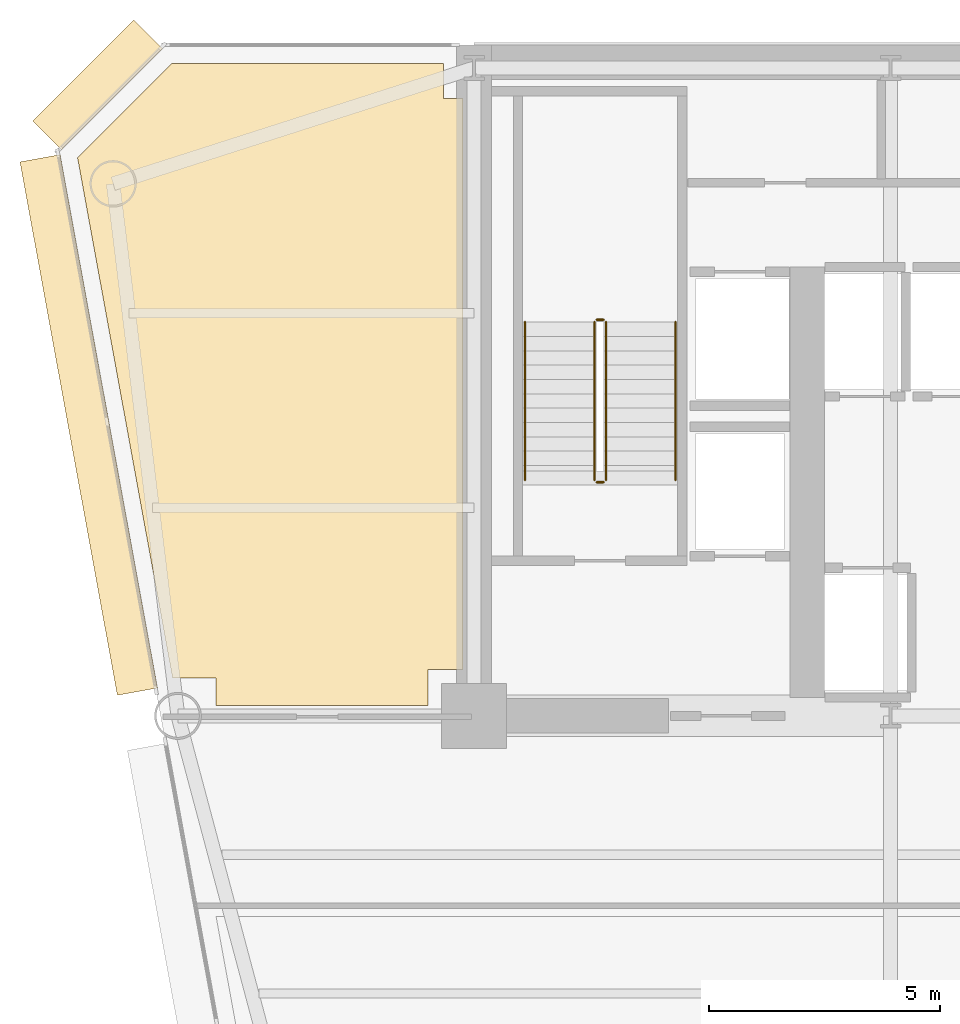
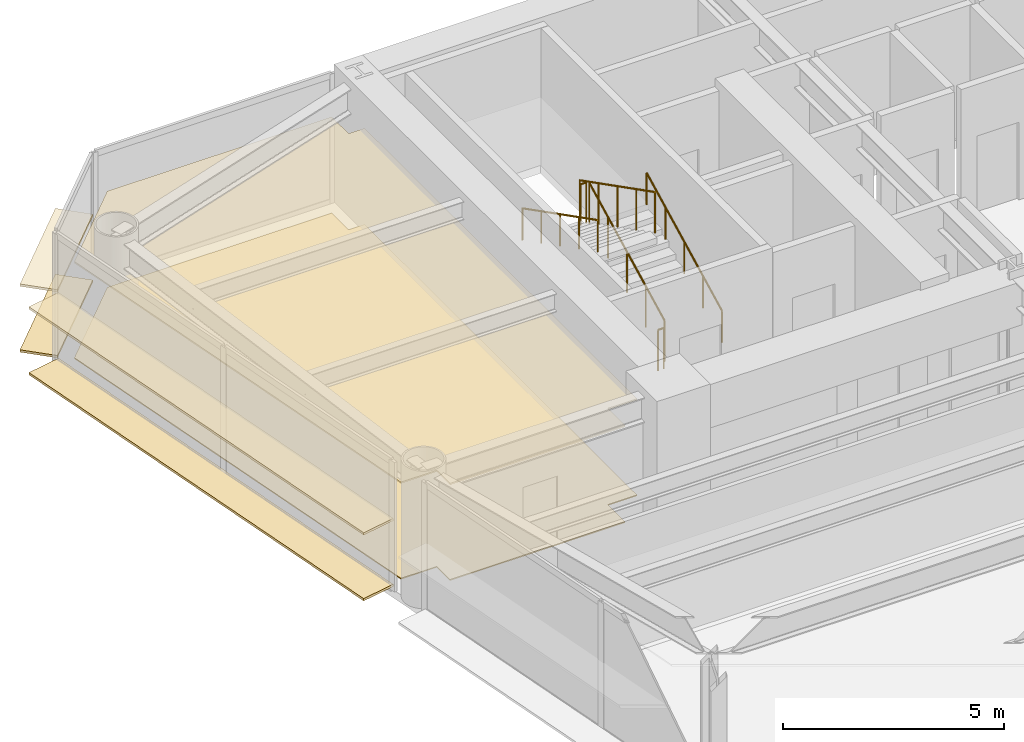
# One storey, part 13 of 15: 6 coverings, 6 railings.
"""IFC4 building model written with IfcOpenShell, lengths in metres."""

import ifcopenshell
import ifcopenshell.guid

model = None  # the IFC model being written
_history = None  # IfcOwnerHistory: only IFC2X3 demands one
_inside = {}  # id of a spatial element -> (the spatial element, [elements in it])
_under = {}  # id of a project, library or spatial element -> (it, [spatial elements below it])
_declared = {}  # id of a project -> (the project, [libraries it declares])
_typed = {}  # id of a type object -> (the type object, [elements of that type])
_made_of = {}  # id of a material, layer set ... -> (it, [elements and type objects made of it])


def new_model(schema):
    """Start an empty IFC model of exactly this schema.

    Asked for "IFC4X3", IfcOpenShell would pick the latest addendum, in which some entities
    have other attributes; the version numbers below select the first issue.
    IFC2X3 requires an IfcOwnerHistory on every rooted entity: one is made here for all.
    """
    global model, _history
    if schema == "IFC4X3":
        model = ifcopenshell.file(schema_version=(4, 3, 0, 0))
    else:
        model = ifcopenshell.file(schema=schema)
    _inside.clear()
    _under.clear()
    _declared.clear()
    _typed.clear()
    _made_of.clear()
    _history = None
    if model.schema == "IFC2X3":
        org = make("IfcOrganization", Name="unknown")
        user = make(
            "IfcPersonAndOrganization",
            ThePerson=make("IfcPerson", FamilyName="unknown"),
            TheOrganization=org,
        )
        app = make(
            "IfcApplication",
            ApplicationDeveloper=org,
            Version="unknown",
            ApplicationFullName="unknown",
            ApplicationIdentifier="unknown",
        )
        _history = make(
            "IfcOwnerHistory",
            OwningUser=user,
            OwningApplication=app,
            ChangeAction="ADDED",
            CreationDate=0,
        )
    return model


def make(cls, **values):
    """One entity of the class cls with the attributes given. An attribute that is None is left unset."""
    return model.create_entity(
        cls, **{name: value for name, value in values.items() if value is not None}
    )


def rooted(cls, **values):
    """An entity with a GlobalId (a new one), such as an element, a storey or a relation."""
    return make(cls, GlobalId=ifcopenshell.guid.new(), OwnerHistory=_history, **values)


def si_unit(unit_type, name, prefix=None):
    """IfcSIUnit, for example si_unit("LENGTHUNIT", "METRE", prefix="MILLI")."""
    return make("IfcSIUnit", UnitType=unit_type, Prefix=prefix, Name=name)


def assignment(units):
    """IfcUnitAssignment: the units of a project."""
    return None if units is None else make("IfcUnitAssignment", Units=units)


def point(xyz):
    """IfcCartesianPoint."""
    return None if xyz is None else make("IfcCartesianPoint", Coordinates=xyz)


def direction(xyz):
    """IfcDirection."""
    return None if xyz is None else make("IfcDirection", DirectionRatios=xyz)


def frame(location, z_axis=None, x_axis=None):
    """IfcAxis2Placement3D, a coordinate frame: its origin and axes. An axis left out is left unset."""
    return make(
        "IfcAxis2Placement3D",
        Location=point(location),
        Axis=direction(z_axis),
        RefDirection=direction(x_axis),
    )


def frame_2d(location, x_axis=None):
    """IfcAxis2Placement2D, a coordinate frame in the plane: its origin and x axis."""
    return make(
        "IfcAxis2Placement2D", Location=point(location), RefDirection=direction(x_axis)
    )


def origin():
    """The frame at (0, 0, 0) with its axes left unset."""
    return frame((0.0, 0.0, 0.0))


def origin_2d():
    """The frame at (0, 0) in the plane with its x axis left unset."""
    return frame_2d((0.0, 0.0))


def place(relative_to, where):
    """IfcLocalPlacement: puts the frame where relative to a parent placement (None: the world)."""
    return make(
        "IfcLocalPlacement", PlacementRelTo=relative_to, RelativePlacement=where
    )


def context(
    kind, dimensions, precision=None, world=None, true_north=None, identifier=None
):
    """IfcGeometricRepresentationContext, for example the 3D "Model" context."""
    return make(
        "IfcGeometricRepresentationContext",
        ContextIdentifier=identifier,
        ContextType=kind,
        CoordinateSpaceDimension=dimensions,
        Precision=precision,
        WorldCoordinateSystem=world,
        TrueNorth=true_north,
    )


def subcontext(parent, identifier, kind, view, scale=None):
    """IfcGeometricRepresentationSubContext, for example "Body" below "Model"."""
    return make(
        "IfcGeometricRepresentationSubContext",
        ContextIdentifier=identifier,
        ContextType=kind,
        ParentContext=parent,
        TargetScale=scale,
        TargetView=view,
    )


def project(units=None, contexts=None):
    """IfcProject with its units and contexts."""
    return rooted(
        "IfcProject",
        Name="project",
        RepresentationContexts=contexts,
        UnitsInContext=assignment(units),
    )


def spatial(cls, under=None, at=None, **own):
    """A site, building, storey or space (cls), placed at a placement, below another one or the project."""
    s = rooted(cls, ObjectPlacement=at, **own)
    if under is not None:
        _under.setdefault(under.id(), (under, []))[1].append(s)
    return s


def polyline(points):
    """IfcPolyline through the points."""
    return make("IfcPolyline", Points=[point(p) for p in points])


def profile(cls, at=None, kind="AREA", **sizes):
    """A parametric profile (cls). Its sizes go by their IFC names, for example OverallWidth=200.0."""
    return make(cls, ProfileType=kind, Position=at, **sizes)


def rectangle(**sizes):
    """IfcRectangleProfileDef."""
    return profile("IfcRectangleProfileDef", **sizes)


def circle(**sizes):
    """IfcCircleProfileDef."""
    return profile("IfcCircleProfileDef", **sizes)


def outline(outer, holes=None, kind="AREA"):
    """IfcArbitraryClosedProfileDef: a profile drawn as a closed curve; with holes, ...WithVoids."""
    if holes is None:
        return make("IfcArbitraryClosedProfileDef", ProfileType=kind, OuterCurve=outer)
    return make(
        "IfcArbitraryProfileDefWithVoids",
        ProfileType=kind,
        OuterCurve=outer,
        InnerCurves=holes,
    )


def extrude(swept, where, along, depth):
    """IfcExtrudedAreaSolid: the profile swept, set in the frame where, extruded along a direction by depth."""
    return make(
        "IfcExtrudedAreaSolid",
        SweptArea=swept,
        Position=where,
        ExtrudedDirection=direction(along),
        Depth=depth,
    )


def shape(context_of_items, identifier, shape_type, items):
    """IfcShapeRepresentation: the items that make up one representation, for example the "Body"."""
    return make(
        "IfcShapeRepresentation",
        ContextOfItems=context_of_items,
        RepresentationIdentifier=identifier,
        RepresentationType=shape_type,
        Items=items,
    )


def source(mapping_origin, context_of_items, identifier, shape_type, items):
    """IfcRepresentationMap: a shape defined once, which mapped items show again and again."""
    return make(
        "IfcRepresentationMap",
        MappingOrigin=mapping_origin,
        MappedRepresentation=shape(context_of_items, identifier, shape_type, items),
    )


def transform(
    local_origin,
    x_axis=None,
    y_axis=None,
    z_axis=None,
    scale=None,
    scale2=None,
    scale3=None,
    uniform=True,
):
    """IfcCartesianTransformationOperator3D, or its non-uniform kind. x_axis, y_axis, z_axis: its Axis1, 2, 3."""
    if uniform:
        return make(
            "IfcCartesianTransformationOperator3D",
            Axis1=direction(x_axis),
            Axis2=direction(y_axis),
            LocalOrigin=point(local_origin),
            Scale=scale,
            Axis3=direction(z_axis),
        )
    return make(
        "IfcCartesianTransformationOperator3DnonUniform",
        Axis1=direction(x_axis),
        Axis2=direction(y_axis),
        LocalOrigin=point(local_origin),
        Scale=scale,
        Axis3=direction(z_axis),
        Scale2=scale2,
        Scale3=scale3,
    )


def mapped(mapping_source, mapping_target):
    """IfcMappedItem: shows the shape of a source again, moved by a transform."""
    return make(
        "IfcMappedItem", MappingSource=mapping_source, MappingTarget=mapping_target
    )


def material(Name=None, Category=None):
    """IfcMaterial."""
    return make("IfcMaterial", Name=Name, Category=Category)


def layer(
    of_material, thickness, ventilated=None, Name=None, Category=None, Priority=None
):
    """IfcMaterialLayer: one layer of a wall or slab, of a material (None: an air gap)."""
    return make(
        "IfcMaterialLayer",
        Material=of_material,
        LayerThickness=thickness,
        IsVentilated=ventilated,
        Name=Name,
        Category=Category,
        Priority=Priority,
    )


def layer_set(layers, Name=None):
    """IfcMaterialLayerSet."""
    return make("IfcMaterialLayerSet", MaterialLayers=layers, LayerSetName=Name)


def made_of(thing, what):
    """Note that an element or type object is made of a material, layer set ...; save() writes the relation."""
    if what is not None:
        _made_of.setdefault(what.id(), (what, []))[1].append(thing)
    return thing


def type_object(cls, material=None, **own):
    """A type object (cls), such as IfcWallType, which elements share."""
    return made_of(rooted(cls, **own), material)


def element(
    cls,
    number,
    at=None,
    inside=None,
    cuts=None,
    type_object=None,
    material=None,
    context=None,
    identifier="Body",
    shape_type=None,
    held_by="IfcProductDefinitionShape",
    body=None,
    shapes=None,
    **own,
):
    """One element of the class cls, such as IfcWall. Its Tag is "e" and its number.

    at: its placement. inside: the storey or other place that contains it. cuts: it is an
    opening in that element (IfcRelVoidsElement). A single representation is given by context,
    identifier, shape_type and body (its items); several are given by shapes. held_by: the class
    of the entity that holds the representations. save() writes the other relations.
    """
    e = rooted(cls, Tag="e%d" % number, ObjectPlacement=at, **own)
    if body is not None:
        shapes = [shape(context, identifier, shape_type, body)]
    if shapes is not None:
        e.Representation = make(held_by, Representations=shapes)
    if inside is not None:
        _inside.setdefault(inside.id(), (inside, []))[1].append(e)
    if cuts is not None:
        rooted(
            "IfcRelVoidsElement", RelatingBuildingElement=cuts, RelatedOpeningElement=e
        )
    if type_object is not None:
        _typed.setdefault(type_object.id(), (type_object, []))[1].append(e)
    return made_of(e, material)


def aggregate(whole, parts):
    """IfcRelAggregates: a whole, such as a stair, and the parts it consists of."""
    return rooted("IfcRelAggregates", RelatingObject=whole, RelatedObjects=parts)


def save(model, path):
    """Write the relations noted so far, then the file.

    IfcRelAggregates (storeys below a building ...), IfcRelContainedInSpatialStructure (elements
    in a storey), IfcRelDefinesByType, IfcRelAssociatesMaterial and IfcRelDeclares: one each for
    every whole, place, type object, material and project.
    """
    for whole, parts in _under.values():
        aggregate(whole, parts)
    for where, things in _inside.values():
        rooted(
            "IfcRelContainedInSpatialStructure",
            RelatedElements=things,
            RelatingStructure=where,
        )
    for kind, things in _typed.values():
        rooted("IfcRelDefinesByType", RelatedObjects=things, RelatingType=kind)
    for what, things in _made_of.values():
        rooted("IfcRelAssociatesMaterial", RelatedObjects=things, RelatingMaterial=what)
    for by, libraries in _declared.values():
        rooted("IfcRelDeclares", RelatingContext=by, RelatedDefinitions=libraries)
    model.write(path)


model = new_model("IFC4")

# Units and contexts
model_context = context("Model", 3, precision=1e-05, world=origin(), true_north=direction((0.0, 1.0)))
body_context = subcontext(model_context, "Body", "Model", "MODEL_VIEW")
ifc_project = project(units=[si_unit("LENGTHUNIT", "METRE"), si_unit("AREAUNIT", "SQUARE_METRE"), si_unit("VOLUMEUNIT", "CUBIC_METRE"), si_unit("PLANEANGLEUNIT", "RADIAN"), si_unit("MASSUNIT", "GRAM", prefix="KILO")], contexts=[model_context])

# Site, building, storey
site_placement = place(None, origin())
site = spatial("IfcSite", under=ifc_project, at=site_placement, CompositionType="ELEMENT")
building_placement = place(site_placement, origin())
building = spatial("IfcBuilding", under=site, at=building_placement, Name="Vaeldorn Concourse Tower", CompositionType="ELEMENT")
storey_placement = place(building_placement, frame((0.0, 0.0, 95.800048828125)))
storey = spatial("IfcBuildingStorey", under=building, at=storey_placement, Name="L24", CompositionType="ELEMENT", Elevation=95.800048828125)

# Coverings
ifc_material_1 = material(Name="Acoustic Mineral Fibre Board", Category="gypsum")
ifc_layer_1 = layer(ifc_material_1, 0.0400390625)
ifc_layer_set_1 = layer_set([ifc_layer_1], Name="Acoustic Mineral Fibre Board")
covering_type_1 = type_object("IfcCoveringType", Name="COV-CEIL-ACOUSTIC", PredefinedType="CEILING", material=ifc_layer_set_1)
covering_1_placement = place(storey_placement, frame((0.0, 0.0, 2.64990234375)))
element("IfcCovering", 1, at=covering_1_placement, inside=storey, type_object=covering_type_1, Name="Suspended Acoustic Ceiling L24-4", PredefinedType="CEILING", context=body_context, shape_type="SweptSolid", body=[
    extrude(outline(polyline([(7.4658203125, 50.60009765625), (13.340087890625, 50.60009765625), (13.340087890625, 49.840087890625), (13.760009765625, 49.840087890625), (13.760009765625, 37.5), (13.0, 37.5), (13.0, 36.719970703125), (8.419921875, 36.719970703125), (8.419921875, 37.320068359375), (7.48388671875, 37.320068359375), (5.43115234375, 48.5654296875), (7.4658203125, 50.60009765625)])), origin(), (0.0, 0.0, 1.0), 0.0400390625),
])
ifc_material_2 = material(Name="Honed Limestone Terrazzo Flooring", Category="masonry")
ifc_layer_2 = layer(ifc_material_2, 0.0400390625)
ifc_layer_set_2 = layer_set([ifc_layer_2], Name="Honed Limestone Terrazzo Flooring")
covering_type_2 = type_object("IfcCoveringType", Name="COV-FLOOR-STONE", PredefinedType="FLOORING", material=ifc_layer_set_2)
covering_2_placement = place(storey_placement, origin())
element("IfcCovering", 2, at=covering_2_placement, inside=storey, type_object=covering_type_2, Name="Floor Finish Covering L24-4", PredefinedType="FLOORING", context=body_context, shape_type="SweptSolid", body=[
    extrude(outline(polyline([(7.4658203125, 50.60009765625), (13.340087890625, 50.60009765625), (13.340087890625, 49.840087890625), (13.760009765625, 49.840087890625), (13.760009765625, 37.5), (13.0, 37.5), (13.0, 36.719970703125), (8.419921875, 36.719970703125), (8.419921875, 37.320068359375), (7.48388671875, 37.320068359375), (5.43115234375, 48.5654296875), (7.4658203125, 50.60009765625)])), origin(), (0.0, 0.0, 1.0), 0.030029296875),
])

# Railings
ifc_material_3 = material(Name="Anodised Bronze Aluminium", Category="aluminium")
railing_type_1 = type_object("IfcRailingType", Name="RL-STAIR-GUARD", PredefinedType="GUARDRAIL", material=ifc_material_3)
railing_1_placement = place(storey_placement, frame((16.85009765625, 41.60009765625, 0.158203125)))
element("IfcRailing", 3, at=railing_1_placement, inside=storey, type_object=railing_type_1, Name="L24 ST-1 stair guard 1", PredefinedType="GUARDRAIL", context=body_context, shape_type="SweptSolid", body=[
    extrude(circle(Radius=0.02392578125, at=origin_2d()), frame((0.0, 0.0, 1.1259765625), z_axis=(0.0, 0.890555807335, 0.454873997962), x_axis=(-1.0, 0.0, 0.0)), (0.0, 0.0, 1.0), 3.828857421875),
    extrude(circle(Radius=0.02099609375, at=origin_2d()), origin(), (0.0, 0.0, 1.0), 1.101806640625),
    extrude(circle(Radius=0.02099609375, at=origin_2d()), frame((0.0, 0.8525390625, 0.435546875)), (0.0, 0.0, 1.0), 1.101806640625),
    extrude(circle(Radius=0.02099609375, at=origin_2d()), frame((0.0, 1.705078125, 0.870849609375)), (0.0, 0.0, 1.0), 1.101806640625),
    extrude(circle(Radius=0.02099609375, at=origin_2d()), frame((0.0, 2.557373046875, 1.30615234375)), (0.0, 0.0, 1.0), 1.101806640625),
    extrude(circle(Radius=0.02099609375, at=origin_2d()), frame((0.0, 3.409912109375, 1.74169921875)), (0.0, 0.0, 1.0), 1.101806640625),
])
railing_2_placement = place(storey_placement, frame((16.800048828125, 45.06005859375, 1.89990234375)))
element("IfcRailing", 4, at=railing_2_placement, inside=storey, type_object=railing_type_1, Name="L24 ST-1 stair guard 2", PredefinedType="GUARDRAIL", context=body_context, shape_type="SweptSolid", body=[
    extrude(circle(Radius=0.02392578125, at=origin_2d()), frame((0.0, 0.0, 1.1259765625), z_axis=(-1.0, 0.0, 0.0), x_axis=(0.0, -1.0, 0.0)), (0.0, 0.0, 1.0), 0.150146484375),
    extrude(circle(Radius=0.02099609375, at=origin_2d()), origin(), (0.0, 0.0, 1.0), 1.101806640625),
    extrude(circle(Radius=0.02099609375, at=origin_2d()), frame((-0.150146484375, 0.0, 0.0)), (0.0, 0.0, 1.0), 1.101806640625),
])
railing_3_placement = place(storey_placement, frame((16.60009765625, 45.010009765625, 2.058349609375)))
element("IfcRailing", 5, at=railing_3_placement, inside=storey, type_object=railing_type_1, Name="L24 ST-1 stair guard 3", PredefinedType="GUARDRAIL", context=body_context, shape_type="SweptSolid", body=[
    extrude(circle(Radius=0.02392578125, at=origin_2d()), frame((0.0, 0.0, 1.1259765625), z_axis=(0.0, -0.890555807335, 0.454873997962), x_axis=(1.0, 0.0, 0.0)), (0.0, 0.0, 1.0), 3.828857421875),
    extrude(circle(Radius=0.02099609375, at=origin_2d()), origin(), (0.0, 0.0, 1.0), 1.101806640625),
    extrude(circle(Radius=0.02099609375, at=origin_2d()), frame((0.0, -0.8525390625, 0.435546875)), (0.0, 0.0, 1.0), 1.101806640625),
    extrude(circle(Radius=0.02099609375, at=origin_2d()), frame((0.0, -1.705078125, 0.870849609375)), (0.0, 0.0, 1.0), 1.101806640625),
    extrude(circle(Radius=0.02099609375, at=origin_2d()), frame((0.0, -2.557373046875, 1.30615234375)), (0.0, 0.0, 1.0), 1.101806640625),
    extrude(circle(Radius=0.02099609375, at=origin_2d()), frame((0.0, -3.409912109375, 1.74169921875)), (0.0, 0.0, 1.0), 1.101806640625),
])
railing_4_placement = place(storey_placement, frame((16.800048828125, 41.550048828125, 0.0)))
element("IfcRailing", 6, at=railing_4_placement, inside=storey, type_object=railing_type_1, Name="L24 ST-1 stair guard 4", PredefinedType="GUARDRAIL", context=body_context, shape_type="SweptSolid", body=[
    extrude(circle(Radius=0.02392578125, at=origin_2d()), frame((0.0, 0.0, 1.1259765625), z_axis=(-1.0, 0.0, 0.0), x_axis=(0.0, -1.0, 0.0)), (0.0, 0.0, 1.0), 0.150146484375),
    extrude(circle(Radius=0.02099609375, at=origin_2d()), origin(), (0.0, 0.0, 1.0), 1.101806640625),
    extrude(circle(Radius=0.02099609375, at=origin_2d()), frame((-0.150146484375, 0.0, 0.0)), (0.0, 0.0, 1.0), 1.101806640625),
])
railing_type_2 = type_object("IfcRailingType", Name="RL-STAIR-HANDRAIL", PredefinedType="HANDRAIL", material=ifc_material_3)
railing_5_placement = place(storey_placement, frame((18.35009765625, 41.60009765625, 0.158203125)))
element("IfcRailing", 7, at=railing_5_placement, inside=storey, type_object=railing_type_2, Name="L24 ST-1 stair handrail 1", PredefinedType="HANDRAIL", context=body_context, shape_type="SweptSolid", body=[
    extrude(circle(Radius=0.02392578125, at=origin_2d()), frame((0.0, 0.0, 0.8759765625), z_axis=(0.0, 0.890555807335, 0.454873997962), x_axis=(-1.0, 0.0, 0.0)), (0.0, 0.0, 1.0), 3.828857421875),
    extrude(circle(Radius=0.02099609375, at=origin_2d()), origin(), (0.0, 0.0, 1.0), 0.851806640625),
    extrude(circle(Radius=0.02099609375, at=origin_2d()), frame((0.0, 0.8525390625, 0.435546875)), (0.0, 0.0, 1.0), 0.851806640625),
    extrude(circle(Radius=0.02099609375, at=origin_2d()), frame((0.0, 1.705078125, 0.870849609375)), (0.0, 0.0, 1.0), 0.851806640625),
    extrude(circle(Radius=0.02099609375, at=origin_2d()), frame((0.0, 2.557373046875, 1.30615234375)), (0.0, 0.0, 1.0), 0.851806640625),
    extrude(circle(Radius=0.02099609375, at=origin_2d()), frame((0.0, 3.409912109375, 1.74169921875)), (0.0, 0.0, 1.0), 0.851806640625),
])
railing_6_placement = place(storey_placement, frame((15.10009765625, 45.010009765625, 2.058349609375)))
element("IfcRailing", 8, at=railing_6_placement, inside=storey, type_object=railing_type_2, Name="L24 ST-1 stair handrail 2", PredefinedType="HANDRAIL", context=body_context, shape_type="SweptSolid", body=[
    extrude(circle(Radius=0.02392578125, at=origin_2d()), frame((0.0, 0.0, 0.8759765625), z_axis=(0.0, -0.890555807335, 0.454873997962), x_axis=(1.0, 0.0, 0.0)), (0.0, 0.0, 1.0), 3.828857421875),
    extrude(circle(Radius=0.02099609375, at=origin_2d()), origin(), (0.0, 0.0, 1.0), 0.851806640625),
    extrude(circle(Radius=0.02099609375, at=origin_2d()), frame((0.0, -0.8525390625, 0.435546875)), (0.0, 0.0, 1.0), 0.851806640625),
    extrude(circle(Radius=0.02099609375, at=origin_2d()), frame((0.0, -1.705078125, 0.870849609375)), (0.0, 0.0, 1.0), 0.851806640625),
    extrude(circle(Radius=0.02099609375, at=origin_2d()), frame((0.0, -2.557373046875, 1.30615234375)), (0.0, 0.0, 1.0), 0.851806640625),
    extrude(circle(Radius=0.02099609375, at=origin_2d()), frame((0.0, -3.409912109375, 1.74169921875)), (0.0, 0.0, 1.0), 0.851806640625),
])

# Coverings
ifc_layer_3 = layer(ifc_material_3, 0.06494140625)
ifc_layer_set_3 = layer_set([ifc_layer_3], Name="Anodised Bronze Aluminium")
covering_type_3 = type_object("IfcCoveringType", Name="SD-BRONZE-SUNSHADE", PredefinedType="USERDEFINED", material=ifc_layer_set_3)
shared_shape_1 = source(origin(), body_context, "Body", "SweptSolid", [
    extrude(rectangle(XDim=3.0927734375, YDim=0.8798828125, at=origin_2d()), origin(), (0.0, 0.0, 1.0), 0.06494140625),
])
for number, where, z_axis, x_axis, name in (
    (9, (5.8671875, 50.1328125, 0.04736328125), (0.0, 0.0, 1.0), (-0.707106781187, -0.707106781187, 0.0), "Horizontal Bronze Sunshade L24-E10.1.1"),
    (10, (5.8671875, 50.1328125, 1.867431640625), (0.0, 0.0, 1.0), (-0.707106781187, -0.707106781187, 0.0), "Horizontal Bronze Sunshade L24-E10.1.2"),
):
    element("IfcCovering", number, at=place(storey_placement, frame(where, z_axis=z_axis, x_axis=x_axis)), inside=storey, type_object=covering_type_3, Name=name, ObjectType="SUNSHADE", PredefinedType="USERDEFINED", context=body_context, shape_type="MappedRepresentation", body=[
        mapped(shared_shape_1, transform((0.0, 0.0, 0.0), scale=1.0)),
    ])
shared_shape_2 = source(origin(), body_context, "Body", "SweptSolid", [
    extrude(rectangle(XDim=11.715087890625, YDim=0.8798828125, at=origin_2d()), origin(), (0.0, 0.0, 1.0), 0.06494140625),
])
for number, where, z_axis, x_axis, name in (
    (11, (5.672607421875, 42.787109375, 0.04736328125), (0.0, 0.0, 1.0), (0.179557731787, -0.983747437585, 0.0), "Horizontal Bronze Sunshade L24-E11.1.1"),
    (12, (5.672607421875, 42.787109375, 1.867431640625), (0.0, 0.0, 1.0), (0.179557731787, -0.983747437585, 0.0), "Horizontal Bronze Sunshade L24-E11.1.2"),
):
    element("IfcCovering", number, at=place(storey_placement, frame(where, z_axis=z_axis, x_axis=x_axis)), inside=storey, type_object=covering_type_3, Name=name, ObjectType="SUNSHADE", PredefinedType="USERDEFINED", context=body_context, shape_type="MappedRepresentation", body=[
        mapped(shared_shape_2, transform((0.0, 0.0, 0.0), scale=1.0)),
    ])

save(model, "model.ifc")
